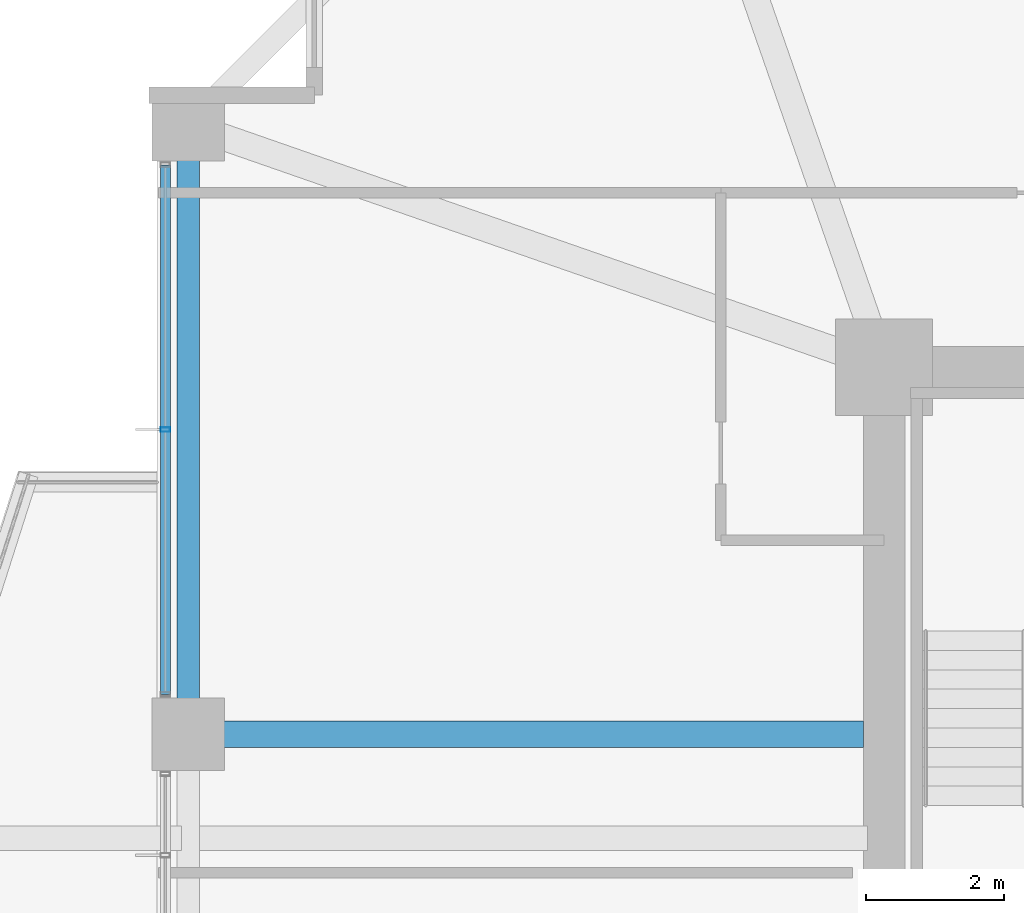
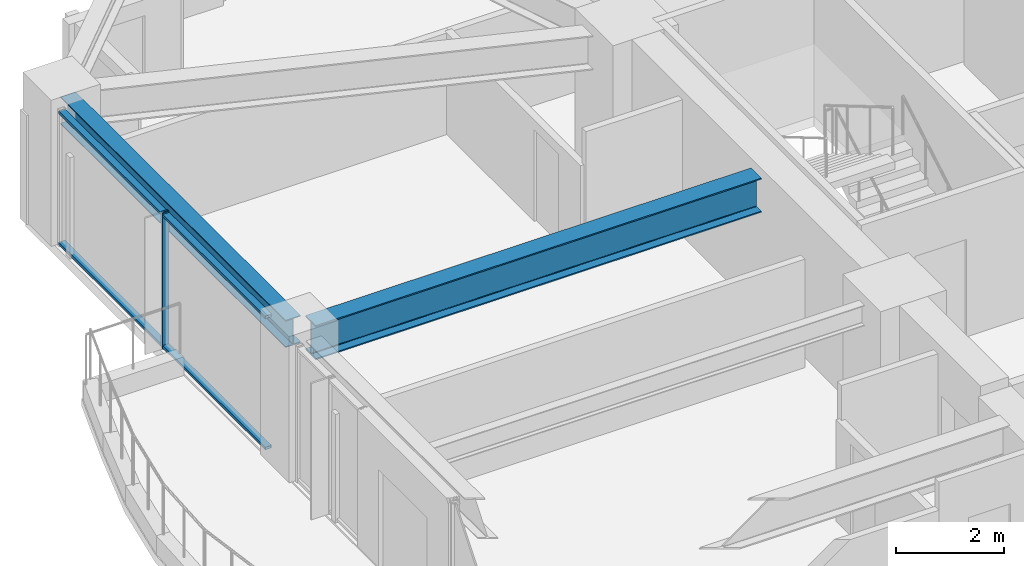
# One storey, part 10 of 36: 3 members, 2 beams, 1 element without a shape of its own.
"""IFC4 building model written with IfcOpenShell, lengths in metres."""

from ifc_helpers import new_model, si_unit, direction, frame, origin, origin_2d, place, context, subcontext, project, spatial, hollow_rectangle, i_section, extrude, material, material_profile, profile_set, type_object, element, aggregate, save


model = new_model("IFC4")

# Units and contexts
model_context = context("Model", 3, precision=1e-05, world=origin(), true_north=direction((0.0, 1.0)))
body_context = subcontext(model_context, "Body", "Model", "MODEL_VIEW")
ifc_project = project(units=[si_unit("LENGTHUNIT", "METRE"), si_unit("AREAUNIT", "SQUARE_METRE"), si_unit("VOLUMEUNIT", "CUBIC_METRE"), si_unit("PLANEANGLEUNIT", "RADIAN"), si_unit("MASSUNIT", "GRAM", prefix="KILO")], contexts=[model_context])

# Site, building, storey
site_placement = place(None, origin())
site = spatial("IfcSite", under=ifc_project, at=site_placement, CompositionType="ELEMENT")
building_placement = place(site_placement, origin())
building = spatial("IfcBuilding", under=site, at=building_placement, Name="Kolvaren Belvedere", CompositionType="ELEMENT")
storey_placement = place(building_placement, frame((0.0, 0.0, 92.0)))
storey = spatial("IfcBuildingStorey", under=building, at=storey_placement, Name="L26", CompositionType="ELEMENT", Elevation=92.0)

# Beams
ifc_material_1 = material(Name="Structural steel ASTM A992 Grade 50", Category="steel")
ifc_material_profile_1 = material_profile(ifc_material_1, i_section(OverallWidth=0.381103515625, OverallDepth=0.77294921875, WebThickness=0.0166015625, FlangeThickness=0.027099609375, FilletRadius=0.02392578125, at=origin_2d()), Name="W30X173")
ifc_profile_set_1 = profile_set([ifc_material_profile_1], Name="Structural steel ASTM A992 Grade 50")
beam_type_1 = type_object("IfcBeamType", Name="BM-GIRD-W30X173", PredefinedType="BEAM", material=ifc_profile_set_1)
beam_1_placement = place(storey_placement, frame((-10.199951171875, 4.60009765625, 2.693603515625), z_axis=(-1.0, 0.0, 0.0), x_axis=(0.0, -1.0, 0.0)))
element("IfcBeam", 1, at=beam_1_placement, inside=storey, type_object=beam_type_1, Name="L26 West Radial Girder P", PredefinedType="BEAM", context=body_context, shape_type="SweptSolid", body=[
    extrude(i_section(OverallWidth=0.381103515625, OverallDepth=0.77294921875, WebThickness=0.0166015625, FlangeThickness=0.027099609375, FilletRadius=0.02392578125, at=origin_2d()), origin(), (0.0, 0.0, 1.0), 9.513916015625),
])
ifc_material_2 = material(Name="Structural steel ASTM A992 Grade 50", Category="steel")
ifc_material_profile_2 = material_profile(ifc_material_2, i_section(OverallWidth=0.324951171875, OverallDepth=0.615966796875, WebThickness=0.013916015625, FlangeThickness=0.021484375, FilletRadius=0.02001953125, at=origin_2d()), Name="W24X117")
ifc_profile_set_2 = profile_set([ifc_material_profile_2], Name="Structural steel ASTM A992 Grade 50")
beam_type_2 = type_object("IfcBeamType", Name="BM-SPAN-W24X117", PredefinedType="SPANDREL", material=ifc_profile_set_2)
beam_2_placement = place(storey_placement, frame((-19.949951171875, 13.163818359375, 2.77197265625), z_axis=(0.0, -1.0, 0.0), x_axis=(1.0, 0.0, 0.0)))
element("IfcBeam", 2, at=beam_2_placement, inside=storey, type_object=beam_type_2, Name="L26 Perimeter Spandrel W4-W3", PredefinedType="SPANDREL", context=body_context, shape_type="SweptSolid", body=[
    extrude(i_section(OverallWidth=0.324951171875, OverallDepth=0.615966796875, WebThickness=0.013916015625, FlangeThickness=0.021484375, FilletRadius=0.02001953125, at=origin_2d()), origin(), (0.0, 0.0, 1.0), 8.32763671875),
])

# Curtain wall, members
ifc_material_3 = material(Name="Anodised pale-metal aluminium AA 6063-T6", Category="aluminium")
curtain_wall_type = type_object("IfcCurtainWallType", Name="CW-Z2-MID", PredefinedType="NOTDEFINED", material=ifc_material_3)
curtain_wall_placement = place(storey_placement, origin())
curtain_wall = element("IfcCurtainWall", 3, at=curtain_wall_placement, inside=storey, type_object=curtain_wall_type, Name="L26 Unitised Curtain Wall FCW-L26-W2-B2", PredefinedType="NOTDEFINED")
ifc_material_4 = material(Name="Anodised pale-metal aluminium AA 6063-T6", Category="aluminium")
ifc_material_profile_3 = material_profile(ifc_material_4, hollow_rectangle(XDim=0.06494140625, YDim=0.139892578125, WallThickness=0.00390625, at=origin_2d()), Name="ALU-MUL-140X65")
ifc_profile_set_3 = profile_set([ifc_material_profile_3], Name="Anodised pale-metal aluminium AA 6063-T6")
member_type_1 = type_object("IfcMemberType", Name="CW-MUL-140", PredefinedType="MULLION", material=ifc_profile_set_3)
member_1_placement = place(storey_placement, frame((-20.280029296875, 9.0, 0.0), z_axis=(0.0, 0.0, 1.0), x_axis=(0.0, 1.0, 0.0)))
member_1 = element("IfcMember", 4, at=member_1_placement, type_object=member_type_1, Name="FCW-L26-W2-B2 Unitised Mullion 2", PredefinedType="MULLION", context=body_context, shape_type="SweptSolid", body=[
    extrude(hollow_rectangle(XDim=0.06494140625, YDim=0.139892578125, WallThickness=0.00390625, at=origin_2d()), origin(), (0.0, 0.0, 1.0), 3.080078125),
])
ifc_material_5 = material(Name="Anodised pale-metal aluminium AA 6063-T6", Category="aluminium")
ifc_material_profile_4 = material_profile(ifc_material_5, hollow_rectangle(XDim=0.06005859375, YDim=0.139892578125, WallThickness=0.00390625, at=origin_2d()), Name="ALU-TRN-140X60")
ifc_profile_set_4 = profile_set([ifc_material_profile_4], Name="Anodised pale-metal aluminium AA 6063-T6")
member_type_2 = type_object("IfcMemberType", Name="CW-TRN-140", PredefinedType="USERDEFINED", material=ifc_profile_set_4)
member_2_placement = place(storey_placement, frame((-20.280029296875, 5.177490234375, 0.06005859375), z_axis=(0.0, 1.0, 0.0), x_axis=(0.0, 0.0, 1.0)))
member_2 = element("IfcMember", 5, at=member_2_placement, type_object=member_type_2, Name="FCW-L26-W2-B2 Sill Transom", ObjectType="TRANSOM", PredefinedType="USERDEFINED", context=body_context, shape_type="SweptSolid", body=[
    extrude(hollow_rectangle(XDim=0.06005859375, YDim=0.139892578125, WallThickness=0.00390625, at=origin_2d()), origin(), (0.0, 0.0, 1.0), 7.64501953125),
])
member_3_placement = place(storey_placement, frame((-20.280029296875, 5.177490234375, 3.02001953125), z_axis=(0.0, 1.0, 0.0), x_axis=(0.0, 0.0, 1.0)))
member_3 = element("IfcMember", 6, at=member_3_placement, type_object=member_type_2, Name="FCW-L26-W2-B2 Head Transom", ObjectType="TRANSOM", PredefinedType="USERDEFINED", context=body_context, shape_type="SweptSolid", body=[
    extrude(hollow_rectangle(XDim=0.06005859375, YDim=0.139892578125, WallThickness=0.00390625, at=origin_2d()), origin(), (0.0, 0.0, 1.0), 7.64501953125),
])
aggregate(curtain_wall, [member_1, member_2, member_3])

save(model, "model.ifc")
